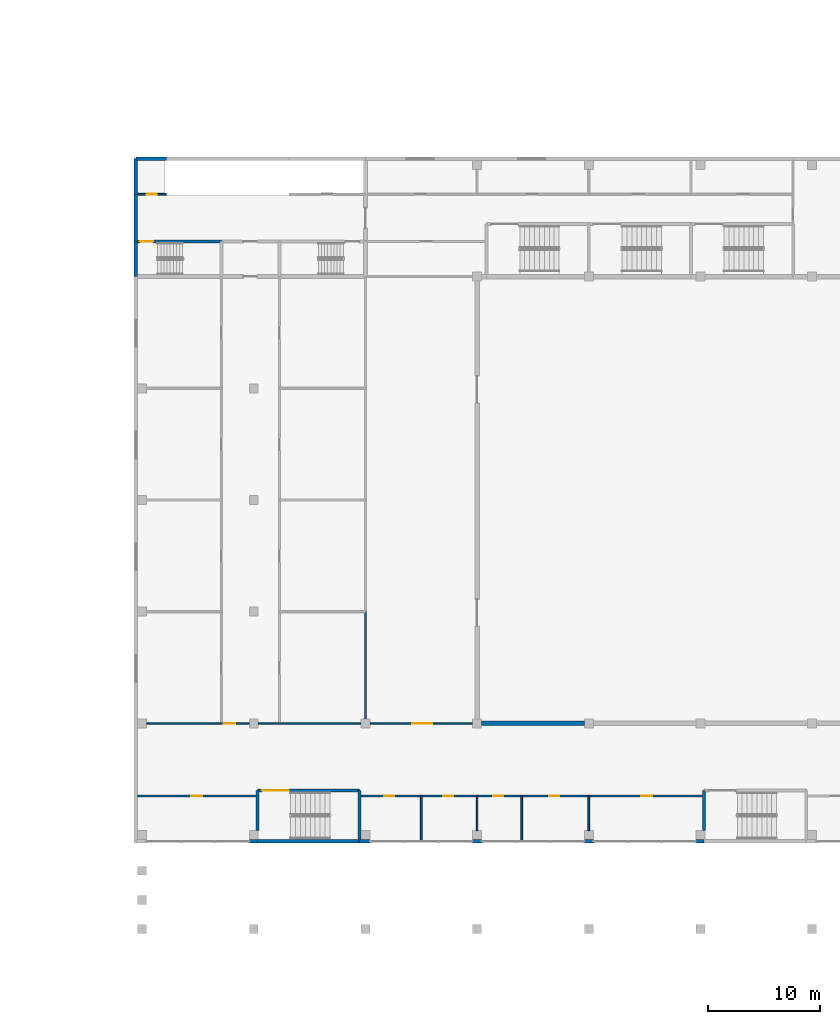
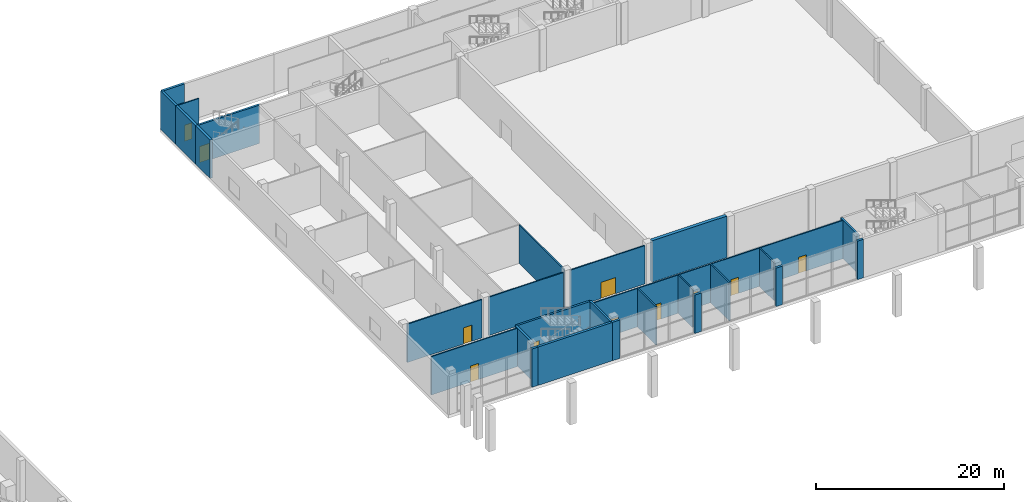
# One storey, part 13 of 35: 27 walls, 11 doors, 11 openings.
"""IFC4 building model written with IfcOpenShell, lengths in metres."""

import ifcopenshell
import ifcopenshell.guid

model = None  # the IFC model being written
_history = None  # IfcOwnerHistory: only IFC2X3 demands one
_inside = {}  # id of a spatial element -> (the spatial element, [elements in it])
_under = {}  # id of a project, library or spatial element -> (it, [spatial elements below it])
_declared = {}  # id of a project -> (the project, [libraries it declares])
_typed = {}  # id of a type object -> (the type object, [elements of that type])
_made_of = {}  # id of a material, layer set ... -> (it, [elements and type objects made of it])


def new_model(schema):
    """Start an empty IFC model of exactly this schema.

    Asked for "IFC4X3", IfcOpenShell would pick the latest addendum, in which some entities
    have other attributes; the version numbers below select the first issue.
    IFC2X3 requires an IfcOwnerHistory on every rooted entity: one is made here for all.
    """
    global model, _history
    if schema == "IFC4X3":
        model = ifcopenshell.file(schema_version=(4, 3, 0, 0))
    else:
        model = ifcopenshell.file(schema=schema)
    _inside.clear()
    _under.clear()
    _declared.clear()
    _typed.clear()
    _made_of.clear()
    _history = None
    if model.schema == "IFC2X3":
        org = make("IfcOrganization", Name="unknown")
        user = make(
            "IfcPersonAndOrganization",
            ThePerson=make("IfcPerson", FamilyName="unknown"),
            TheOrganization=org,
        )
        app = make(
            "IfcApplication",
            ApplicationDeveloper=org,
            Version="unknown",
            ApplicationFullName="unknown",
            ApplicationIdentifier="unknown",
        )
        _history = make(
            "IfcOwnerHistory",
            OwningUser=user,
            OwningApplication=app,
            ChangeAction="ADDED",
            CreationDate=0,
        )
    return model


def make(cls, **values):
    """One entity of the class cls with the attributes given. An attribute that is None is left unset."""
    return model.create_entity(
        cls, **{name: value for name, value in values.items() if value is not None}
    )


def rooted(cls, **values):
    """An entity with a GlobalId (a new one), such as an element, a storey or a relation."""
    return make(cls, GlobalId=ifcopenshell.guid.new(), OwnerHistory=_history, **values)


def si_unit(unit_type, name, prefix=None):
    """IfcSIUnit, for example si_unit("LENGTHUNIT", "METRE", prefix="MILLI")."""
    return make("IfcSIUnit", UnitType=unit_type, Prefix=prefix, Name=name)


def assignment(units):
    """IfcUnitAssignment: the units of a project."""
    return None if units is None else make("IfcUnitAssignment", Units=units)


def point(xyz):
    """IfcCartesianPoint."""
    return None if xyz is None else make("IfcCartesianPoint", Coordinates=xyz)


def direction(xyz):
    """IfcDirection."""
    return None if xyz is None else make("IfcDirection", DirectionRatios=xyz)


def frame(location, z_axis=None, x_axis=None):
    """IfcAxis2Placement3D, a coordinate frame: its origin and axes. An axis left out is left unset."""
    return make(
        "IfcAxis2Placement3D",
        Location=point(location),
        Axis=direction(z_axis),
        RefDirection=direction(x_axis),
    )


def frame_2d(location, x_axis=None):
    """IfcAxis2Placement2D, a coordinate frame in the plane: its origin and x axis."""
    return make(
        "IfcAxis2Placement2D", Location=point(location), RefDirection=direction(x_axis)
    )


def origin():
    """The frame at (0, 0, 0) with its axes left unset."""
    return frame((0.0, 0.0, 0.0))


def place(relative_to, where):
    """IfcLocalPlacement: puts the frame where relative to a parent placement (None: the world)."""
    return make(
        "IfcLocalPlacement", PlacementRelTo=relative_to, RelativePlacement=where
    )


def context(
    kind, dimensions, precision=None, world=None, true_north=None, identifier=None
):
    """IfcGeometricRepresentationContext, for example the 3D "Model" context."""
    return make(
        "IfcGeometricRepresentationContext",
        ContextIdentifier=identifier,
        ContextType=kind,
        CoordinateSpaceDimension=dimensions,
        Precision=precision,
        WorldCoordinateSystem=world,
        TrueNorth=true_north,
    )


def subcontext(parent, identifier, kind, view, scale=None):
    """IfcGeometricRepresentationSubContext, for example "Body" below "Model"."""
    return make(
        "IfcGeometricRepresentationSubContext",
        ContextIdentifier=identifier,
        ContextType=kind,
        ParentContext=parent,
        TargetScale=scale,
        TargetView=view,
    )


def project(units=None, contexts=None):
    """IfcProject with its units and contexts."""
    return rooted(
        "IfcProject",
        Name="project",
        RepresentationContexts=contexts,
        UnitsInContext=assignment(units),
    )


def spatial(cls, under=None, at=None, **own):
    """A site, building, storey or space (cls), placed at a placement, below another one or the project."""
    s = rooted(cls, ObjectPlacement=at, **own)
    if under is not None:
        _under.setdefault(under.id(), (under, []))[1].append(s)
    return s


def profile(cls, at=None, kind="AREA", **sizes):
    """A parametric profile (cls). Its sizes go by their IFC names, for example OverallWidth=200.0."""
    return make(cls, ProfileType=kind, Position=at, **sizes)


def rectangle(**sizes):
    """IfcRectangleProfileDef."""
    return profile("IfcRectangleProfileDef", **sizes)


def extrude(swept, where, along, depth):
    """IfcExtrudedAreaSolid: the profile swept, set in the frame where, extruded along a direction by depth."""
    return make(
        "IfcExtrudedAreaSolid",
        SweptArea=swept,
        Position=where,
        ExtrudedDirection=direction(along),
        Depth=depth,
    )


def shape(context_of_items, identifier, shape_type, items):
    """IfcShapeRepresentation: the items that make up one representation, for example the "Body"."""
    return make(
        "IfcShapeRepresentation",
        ContextOfItems=context_of_items,
        RepresentationIdentifier=identifier,
        RepresentationType=shape_type,
        Items=items,
    )


def material(Name=None, Category=None):
    """IfcMaterial."""
    return make("IfcMaterial", Name=Name, Category=Category)


def layer(
    of_material, thickness, ventilated=None, Name=None, Category=None, Priority=None
):
    """IfcMaterialLayer: one layer of a wall or slab, of a material (None: an air gap)."""
    return make(
        "IfcMaterialLayer",
        Material=of_material,
        LayerThickness=thickness,
        IsVentilated=ventilated,
        Name=Name,
        Category=Category,
        Priority=Priority,
    )


def layer_set(layers, Name=None):
    """IfcMaterialLayerSet."""
    return make("IfcMaterialLayerSet", MaterialLayers=layers, LayerSetName=Name)


def made_of(thing, what):
    """Note that an element or type object is made of a material, layer set ...; save() writes the relation."""
    if what is not None:
        _made_of.setdefault(what.id(), (what, []))[1].append(thing)
    return thing


def type_object(cls, material=None, **own):
    """A type object (cls), such as IfcWallType, which elements share."""
    return made_of(rooted(cls, **own), material)


def element(
    cls,
    number,
    at=None,
    inside=None,
    cuts=None,
    type_object=None,
    material=None,
    context=None,
    identifier="Body",
    shape_type=None,
    held_by="IfcProductDefinitionShape",
    body=None,
    shapes=None,
    **own,
):
    """One element of the class cls, such as IfcWall. Its Tag is "e" and its number.

    at: its placement. inside: the storey or other place that contains it. cuts: it is an
    opening in that element (IfcRelVoidsElement). A single representation is given by context,
    identifier, shape_type and body (its items); several are given by shapes. held_by: the class
    of the entity that holds the representations. save() writes the other relations.
    """
    e = rooted(cls, Tag="e%d" % number, ObjectPlacement=at, **own)
    if body is not None:
        shapes = [shape(context, identifier, shape_type, body)]
    if shapes is not None:
        e.Representation = make(held_by, Representations=shapes)
    if inside is not None:
        _inside.setdefault(inside.id(), (inside, []))[1].append(e)
    if cuts is not None:
        rooted(
            "IfcRelVoidsElement", RelatingBuildingElement=cuts, RelatedOpeningElement=e
        )
    if type_object is not None:
        _typed.setdefault(type_object.id(), (type_object, []))[1].append(e)
    return made_of(e, material)


def fill(opening, filler):
    """IfcRelFillsElement: the door or window that sits in an opening."""
    return rooted(
        "IfcRelFillsElement",
        RelatingOpeningElement=opening,
        RelatedBuildingElement=filler,
    )


def aggregate(whole, parts):
    """IfcRelAggregates: a whole, such as a stair, and the parts it consists of."""
    return rooted("IfcRelAggregates", RelatingObject=whole, RelatedObjects=parts)


def save(model, path):
    """Write the relations noted so far, then the file.

    IfcRelAggregates (storeys below a building ...), IfcRelContainedInSpatialStructure (elements
    in a storey), IfcRelDefinesByType, IfcRelAssociatesMaterial and IfcRelDeclares: one each for
    every whole, place, type object, material and project.
    """
    for whole, parts in _under.values():
        aggregate(whole, parts)
    for where, things in _inside.values():
        rooted(
            "IfcRelContainedInSpatialStructure",
            RelatedElements=things,
            RelatingStructure=where,
        )
    for kind, things in _typed.values():
        rooted("IfcRelDefinesByType", RelatedObjects=things, RelatingType=kind)
    for what, things in _made_of.values():
        rooted("IfcRelAssociatesMaterial", RelatedObjects=things, RelatingMaterial=what)
    for by, libraries in _declared.values():
        rooted("IfcRelDeclares", RelatingContext=by, RelatedDefinitions=libraries)
    model.write(path)


model = new_model("IFC4")

# Units and contexts
model_context = context("Model", 3, precision=1e-05, world=origin(), true_north=direction((0.0, 1.0)))
body_context = subcontext(model_context, "Body", "Model", "MODEL_VIEW")
ifc_project = project(units=[si_unit("LENGTHUNIT", "METRE"), si_unit("AREAUNIT", "SQUARE_METRE"), si_unit("VOLUMEUNIT", "CUBIC_METRE"), si_unit("PLANEANGLEUNIT", "RADIAN"), si_unit("MASSUNIT", "GRAM", prefix="KILO")], contexts=[model_context])

# Site, building, storey
site_placement = place(None, origin())
site = spatial("IfcSite", under=ifc_project, at=site_placement, CompositionType="ELEMENT")
building_placement = place(site_placement, origin())
building = spatial("IfcBuilding", under=site, at=building_placement, Name="Jabali Bay Hotel Tower and Convention Centre", CompositionType="ELEMENT")
storey_placement = place(building_placement, frame((0.0, 0.0, 15.0)))
storey = spatial("IfcBuildingStorey", under=building, at=storey_placement, Name="L02", CompositionType="ELEMENT", Elevation=15.0)

# Walls
ifc_material_1 = material(Name="Concrete C40", Category="concrete")
ifc_layer_1 = layer(ifc_material_1, 0.300048828125)
ifc_layer_set_1 = layer_set([ifc_layer_1], Name="Concrete C40")
wall_type_1 = type_object("IfcWallType", Name="CC External Wall 300", PredefinedType="SOLIDWALL", material=ifc_layer_set_1)
wall_1_placement = place(storey_placement, frame((150.14990234375, 110.550048828125, 0.0), z_axis=(0.0, 0.0, 1.0), x_axis=(1.0, 0.0, 0.0)))
element("IfcWall", 1, at=wall_1_placement, inside=storey, type_object=wall_type_1, Name="CC wall 160", PredefinedType="SOLIDWALL", context=body_context, shape_type="SweptSolid", body=[
    extrude(rectangle(XDim=2.72509765625, YDim=0.300048828125, at=frame_2d((1.362548828125, 0.0))), origin(), (0.0, 0.0, 1.0), 4.989990234375),
])
wall_2_placement = place(storey_placement, frame((150.14990234375, 107.375, 0.0), z_axis=(0.0, 0.0, 1.0), x_axis=(0.0, 1.0, 0.0)))
element("IfcWall", 2, at=wall_2_placement, inside=storey, type_object=wall_type_1, Name="CC wall 161", PredefinedType="SOLIDWALL", context=body_context, shape_type="SweptSolid", body=[
    extrude(rectangle(XDim=3.175048828125, YDim=0.300048828125, at=frame_2d((1.58740234375, 0.0))), origin(), (0.0, 0.0, 1.0), 4.989990234375),
])
wall_3_placement = place(storey_placement, frame((150.14990234375, 100.0, 0.0), z_axis=(0.0, 0.0, 1.0), x_axis=(0.0, 1.0, 0.0)))
element("IfcWall", 3, at=wall_3_placement, inside=storey, type_object=wall_type_1, Name="CC wall 289", PredefinedType="SOLIDWALL", context=body_context, shape_type="SweptSolid", body=[
    extrude(rectangle(XDim=3.14990234375, YDim=0.300048828125, at=frame_2d((1.574951171875, 0.0))), origin(), (0.0, 0.0, 1.0), 4.989990234375),
])
wall_4_placement = place(storey_placement, frame((150.14990234375, 103.14990234375, 0.0), z_axis=(0.0, 0.0, 1.0), x_axis=(0.0, 1.0, 0.0)))
element("IfcWall", 4, at=wall_4_placement, inside=storey, type_object=wall_type_1, Name="CC wall 290", PredefinedType="SOLIDWALL", context=body_context, shape_type="SweptSolid", body=[
    extrude(rectangle(XDim=4.22509765625, YDim=0.300048828125, at=frame_2d((2.112548828125, 0.0))), origin(), (0.0, 0.0, 1.0), 4.989990234375),
])
wall_5_placement = place(storey_placement, frame((160.300048828125, 49.449951171875, 0.0), z_axis=(0.0, 0.0, 1.0), x_axis=(1.0, 0.0, 0.0)))
element("IfcWall", 5, at=wall_5_placement, inside=storey, type_object=wall_type_1, Name="CC wall 292", PredefinedType="SOLIDWALL", context=body_context, shape_type="SweptSolid", body=[
    extrude(rectangle(XDim=0.724853515625, YDim=0.300048828125, at=frame_2d((0.3623046875, 0.0))), origin(), (0.0, 0.0, 1.0), 4.989990234375),
])
wall_6_placement = place(storey_placement, frame((161.02490234375, 49.449951171875, 0.0), z_axis=(0.0, 0.0, 1.0), x_axis=(1.0, 0.0, 0.0)))
element("IfcWall", 6, at=wall_6_placement, inside=storey, type_object=wall_type_1, Name="CC wall 293", PredefinedType="SOLIDWALL", context=body_context, shape_type="SweptSolid", body=[
    extrude(rectangle(XDim=9.150146484375, YDim=0.300048828125, at=frame_2d((4.5751953125, 0.0))), origin(), (0.0, 0.0, 1.0), 4.989990234375),
])
wall_7_placement = place(storey_placement, frame((170.175048828125, 49.449951171875, 0.0), z_axis=(0.0, 0.0, 1.0), x_axis=(1.0, 0.0, 0.0)))
element("IfcWall", 7, at=wall_7_placement, inside=storey, type_object=wall_type_1, Name="CC wall 294", PredefinedType="SOLIDWALL", context=body_context, shape_type="SweptSolid", body=[
    extrude(rectangle(XDim=0.925048828125, YDim=0.300048828125, at=frame_2d((0.46240234375, 0.0))), origin(), (0.0, 0.0, 1.0), 4.989990234375),
])
for number, where, z_axis, x_axis, name in (
    (8, (180.300048828125, 49.449951171875, 0.0), (0.0, 0.0, 1.0), (1.0, 0.0, 0.0), "CC wall 295"),
    (9, (190.300048828125, 49.449951171875, 0.0), (0.0, 0.0, 1.0), (1.0, 0.0, 0.0), "CC wall 296"),
):
    element("IfcWall", number, at=place(storey_placement, frame(where, z_axis=z_axis, x_axis=x_axis)), inside=storey, type_object=wall_type_1, Name=name, PredefinedType="SOLIDWALL", context=body_context, shape_type="SweptSolid", body=[
        extrude(rectangle(XDim=0.800048828125, YDim=0.300048828125, at=frame_2d((0.39990234375, 0.0))), origin(), (0.0, 0.0, 1.0), 4.989990234375),
    ])
wall_8_placement = place(storey_placement, frame((200.300048828125, 49.449951171875, 0.0), z_axis=(0.0, 0.0, 1.0), x_axis=(1.0, 0.0, 0.0)))
element("IfcWall", 10, at=wall_8_placement, inside=storey, type_object=wall_type_1, Name="CC wall 297", PredefinedType="SOLIDWALL", context=body_context, shape_type="SweptSolid", body=[
    extrude(rectangle(XDim=0.724853515625, YDim=0.300048828125, at=frame_2d((0.3623046875, 0.0))), origin(), (0.0, 0.0, 1.0), 4.989990234375),
])
ifc_layer_2 = layer(ifc_material_1, 0.39990234375)
ifc_layer_set_2 = layer_set([ifc_layer_2], Name="Concrete C40")
wall_type_2 = type_object("IfcWallType", Name="CC Hall Wall 400", PredefinedType="SHEAR", material=ifc_layer_set_2)
wall_9_placement = place(storey_placement, frame((181.10009765625, 60.0, 0.0), z_axis=(0.0, 0.0, 1.0), x_axis=(1.0, 0.0, 0.0)))
element("IfcWall", 11, at=wall_9_placement, inside=storey, type_object=wall_type_2, Name="CC ballroom wall", PredefinedType="SHEAR", context=body_context, shape_type="SweptSolid", body=[
    extrude(rectangle(XDim=9.199951171875, YDim=0.39990234375, at=frame_2d((4.60009765625, 0.0))), origin(), (0.0, 0.0, 1.0), 5.39990234375),
])

# Wall, opening, door
ifc_material_2 = material(Name="Blockwork M10", Category="masonry")
ifc_layer_3 = layer(ifc_material_2, 0.14990234375)
ifc_layer_set_3 = layer_set([ifc_layer_3], Name="Blockwork M10")
wall_type_3 = type_object("IfcWallType", Name="CC Partition 150", PredefinedType="PARTITIONING", material=ifc_layer_set_3)
wall_10_placement = place(storey_placement, frame((150.300048828125, 107.375, 0.0), z_axis=(0.0, 0.0, 1.0), x_axis=(1.0, 0.0, 0.0)))
wall_10 = element("IfcWall", 12, at=wall_10_placement, inside=storey, type_object=wall_type_3, Name="CC wall 159", PredefinedType="PARTITIONING", context=body_context, shape_type="SweptSolid", body=[
    extrude(rectangle(XDim=2.574951171875, YDim=0.14990234375, at=frame_2d((1.28759765625, 0.0))), origin(), (0.0, 0.0, 1.0), 4.989990234375),
])
opening_1_placement = place(wall_10_placement, frame((0.800048828125, 0.0, 0.0)))
opening_1 = element("IfcOpeningElement", 13, at=opening_1_placement, cuts=wall_10, Name="Opening CC-D153", PredefinedType="OPENING", context=body_context, shape_type="SweptSolid", body=[
    extrude(rectangle(XDim=0.89990234375, YDim=2.10009765625, at=frame_2d((0.449951171875, 1.050048828125))), frame((0.0, 0.08544921875, 0.0), z_axis=(0.0, -1.0, 0.0), x_axis=(1.0, 0.0, 0.0)), (0.0, 0.0, 1.0), 0.1708984375),
])
ifc_material_3 = material(Name="Timber and steel door set", Category="steel")
door_type_1 = type_object("IfcDoorType", Name="CC Riser Door 900x2100", OperationType="NOTDEFINED", PredefinedType="DOOR", material=ifc_material_3)
door_1_placement = place(opening_1_placement, origin())
door_1 = element("IfcDoor", 14, at=door_1_placement, inside=storey, type_object=door_type_1, Name="CC door CC-D153", OperationType="SINGLE_SWING_LEFT", OverallHeight=2.10009765625, OverallWidth=0.89990234375, PredefinedType="DOOR", context=body_context, shape_type="SweptSolid", body=[
    extrude(rectangle(XDim=0.89990234375, YDim=2.10009765625, at=frame_2d((0.449951171875, 1.050048828125))), frame((0.0, 0.02490234375, 0.0), z_axis=(0.0, -1.0, 0.0), x_axis=(1.0, 0.0, 0.0)), (0.0, 0.0, 1.0), 0.050048828125),
])
fill(opening_1, door_1)

wall_11_placement = place(storey_placement, frame((150.300048828125, 53.5, 0.0), z_axis=(0.0, 0.0, 1.0), x_axis=(1.0, 0.0, 0.0)))
wall_11 = element("IfcWall", 15, at=wall_11_placement, inside=storey, type_object=wall_type_3, Name="CC wall 412", PredefinedType="PARTITIONING", context=body_context, shape_type="SweptSolid", body=[
    extrude(rectangle(XDim=10.724853515625, YDim=0.14990234375, at=frame_2d((5.3623046875, 0.0))), origin(), (0.0, 0.0, 1.0), 4.989990234375),
])
opening_2_placement = place(wall_11_placement, frame((4.800048828125, 0.0, 0.0)))
opening_2 = element("IfcOpeningElement", 16, at=opening_2_placement, cuts=wall_11, Name="Opening CC-D034", PredefinedType="OPENING", context=body_context, shape_type="SweptSolid", body=[
    extrude(rectangle(XDim=1.0, YDim=2.10009765625, at=frame_2d((0.5, 1.050048828125))), frame((0.0, 0.08544921875, 0.0), z_axis=(0.0, -1.0, 0.0), x_axis=(1.0, 0.0, 0.0)), (0.0, 0.0, 1.0), 0.1708984375),
])
door_type_2 = type_object("IfcDoorType", Name="CC Single Door 1000x2100", OperationType="NOTDEFINED", PredefinedType="DOOR", material=ifc_material_3)
door_2_placement = place(opening_2_placement, origin())
door_2 = element("IfcDoor", 17, at=door_2_placement, inside=storey, type_object=door_type_2, Name="CC door CC-D034", OperationType="SINGLE_SWING_RIGHT", OverallHeight=2.10009765625, OverallWidth=1.0, PredefinedType="DOOR", context=body_context, shape_type="SweptSolid", body=[
    extrude(rectangle(XDim=1.0, YDim=2.10009765625, at=frame_2d((0.5, 1.050048828125))), frame((0.0, 0.02490234375, 0.0), z_axis=(0.0, -1.0, 0.0), x_axis=(1.0, 0.0, 0.0)), (0.0, 0.0, 1.0), 0.050048828125),
])
fill(opening_2, door_2)

# Wall, openings, doors
wall_12_placement = place(storey_placement, frame((170.175048828125, 53.5, 0.0), z_axis=(0.0, 0.0, 1.0), x_axis=(1.0, 0.0, 0.0)))
wall_12 = element("IfcWall", 18, at=wall_12_placement, inside=storey, type_object=wall_type_3, Name="CC wall 413", PredefinedType="PARTITIONING", context=body_context, shape_type="SweptSolid", body=[
    extrude(rectangle(XDim=30.849853515625, YDim=0.14990234375, at=frame_2d((15.4248046875, 0.0))), origin(), (0.0, 0.0, 1.0), 4.989990234375),
])
opening_3_placement = place(wall_12_placement, frame((11.97509765625, 0.0, 0.0)))
opening_3 = element("IfcOpeningElement", 19, at=opening_3_placement, cuts=wall_12, Name="Opening CC-D028", PredefinedType="OPENING", context=body_context, shape_type="SweptSolid", body=[
    extrude(rectangle(XDim=0.89990234375, YDim=2.10009765625, at=frame_2d((0.449951171875, 1.050048828125))), frame((0.0, 0.08544921875, 0.0), z_axis=(0.0, -1.0, 0.0), x_axis=(1.0, 0.0, 0.0)), (0.0, 0.0, 1.0), 0.1708984375),
])
opening_4_placement = place(wall_12_placement, frame((16.97509765625, 0.0, 0.0)))
opening_4 = element("IfcOpeningElement", 20, at=opening_4_placement, cuts=wall_12, Name="Opening CC-D029", PredefinedType="OPENING", context=body_context, shape_type="SweptSolid", body=[
    extrude(rectangle(XDim=0.89990234375, YDim=2.10009765625, at=frame_2d((0.449951171875, 1.050048828125))), frame((0.0, 0.08544921875, 0.0), z_axis=(0.0, -1.0, 0.0), x_axis=(1.0, 0.0, 0.0)), (0.0, 0.0, 1.0), 0.1708984375),
])
opening_5_placement = place(wall_12_placement, frame((25.22509765625, 0.0, 0.0)))
opening_5 = element("IfcOpeningElement", 21, at=opening_5_placement, cuts=wall_12, Name="Opening CC-D031", PredefinedType="OPENING", context=body_context, shape_type="SweptSolid", body=[
    extrude(rectangle(XDim=1.0, YDim=2.10009765625, at=frame_2d((0.5, 1.050048828125))), frame((0.0, 0.08544921875, 0.0), z_axis=(0.0, -1.0, 0.0), x_axis=(1.0, 0.0, 0.0)), (0.0, 0.0, 1.0), 0.1708984375),
])
opening_6_placement = place(wall_12_placement, frame((7.47509765625, 0.0, 0.0)))
opening_6 = element("IfcOpeningElement", 22, at=opening_6_placement, cuts=wall_12, Name="Opening CC-D033", PredefinedType="OPENING", context=body_context, shape_type="SweptSolid", body=[
    extrude(rectangle(XDim=0.89990234375, YDim=2.10009765625, at=frame_2d((0.449951171875, 1.050048828125))), frame((0.0, 0.08544921875, 0.0), z_axis=(0.0, -1.0, 0.0), x_axis=(1.0, 0.0, 0.0)), (0.0, 0.0, 1.0), 0.1708984375),
])
opening_7_placement = place(wall_12_placement, frame((2.199951171875, 0.0, 0.0)))
opening_7 = element("IfcOpeningElement", 23, at=opening_7_placement, cuts=wall_12, Name="Opening CC-D035", PredefinedType="OPENING", context=body_context, shape_type="SweptSolid", body=[
    extrude(rectangle(XDim=0.89990234375, YDim=2.10009765625, at=frame_2d((0.449951171875, 1.050048828125))), frame((0.0, 0.08544921875, 0.0), z_axis=(0.0, -1.0, 0.0), x_axis=(1.0, 0.0, 0.0)), (0.0, 0.0, 1.0), 0.1708984375),
])
door_3_placement = place(opening_4_placement, origin())
door_3 = element("IfcDoor", 24, at=door_3_placement, inside=storey, type_object=door_type_1, Name="CC door CC-D029", OperationType="SINGLE_SWING_LEFT", OverallHeight=2.10009765625, OverallWidth=0.89990234375, PredefinedType="DOOR", context=body_context, shape_type="SweptSolid", body=[
    extrude(rectangle(XDim=0.89990234375, YDim=2.10009765625, at=frame_2d((0.449951171875, 1.050048828125))), frame((0.0, 0.02490234375, 0.0), z_axis=(0.0, -1.0, 0.0), x_axis=(1.0, 0.0, 0.0)), (0.0, 0.0, 1.0), 0.050048828125),
])
fill(opening_4, door_3)
door_4_placement = place(opening_5_placement, origin())
door_4 = element("IfcDoor", 25, at=door_4_placement, inside=storey, type_object=door_type_2, Name="CC door CC-D031", OperationType="SINGLE_SWING_LEFT", OverallHeight=2.10009765625, OverallWidth=1.0, PredefinedType="DOOR", context=body_context, shape_type="SweptSolid", body=[
    extrude(rectangle(XDim=1.0, YDim=2.10009765625, at=frame_2d((0.5, 1.050048828125))), frame((0.0, 0.02490234375, 0.0), z_axis=(0.0, -1.0, 0.0), x_axis=(1.0, 0.0, 0.0)), (0.0, 0.0, 1.0), 0.050048828125),
])
fill(opening_5, door_4)
door_type_3 = type_object("IfcDoorType", Name="CC Single Door 900x2100", OperationType="NOTDEFINED", PredefinedType="DOOR", material=ifc_material_3)
door_5_placement = place(opening_3_placement, origin())
door_5 = element("IfcDoor", 26, at=door_5_placement, inside=storey, type_object=door_type_3, Name="CC door CC-D028", OperationType="SINGLE_SWING_RIGHT", OverallHeight=2.10009765625, OverallWidth=0.89990234375, PredefinedType="DOOR", context=body_context, shape_type="SweptSolid", body=[
    extrude(rectangle(XDim=0.89990234375, YDim=2.10009765625, at=frame_2d((0.449951171875, 1.050048828125))), frame((0.0, 0.02490234375, 0.0), z_axis=(0.0, -1.0, 0.0), x_axis=(1.0, 0.0, 0.0)), (0.0, 0.0, 1.0), 0.050048828125),
])
fill(opening_3, door_5)
door_6_placement = place(opening_6_placement, origin())
door_6 = element("IfcDoor", 27, at=door_6_placement, inside=storey, type_object=door_type_3, Name="CC door CC-D033", OperationType="SINGLE_SWING_LEFT", OverallHeight=2.10009765625, OverallWidth=0.89990234375, PredefinedType="DOOR", context=body_context, shape_type="SweptSolid", body=[
    extrude(rectangle(XDim=0.89990234375, YDim=2.10009765625, at=frame_2d((0.449951171875, 1.050048828125))), frame((0.0, 0.02490234375, 0.0), z_axis=(0.0, -1.0, 0.0), x_axis=(1.0, 0.0, 0.0)), (0.0, 0.0, 1.0), 0.050048828125),
])
fill(opening_6, door_6)
door_7_placement = place(opening_7_placement, origin())
door_7 = element("IfcDoor", 28, at=door_7_placement, inside=storey, type_object=door_type_3, Name="CC door CC-D035", OperationType="SINGLE_SWING_LEFT", OverallHeight=2.10009765625, OverallWidth=0.89990234375, PredefinedType="DOOR", context=body_context, shape_type="SweptSolid", body=[
    extrude(rectangle(XDim=0.89990234375, YDim=2.10009765625, at=frame_2d((0.449951171875, 1.050048828125))), frame((0.0, 0.02490234375, 0.0), z_axis=(0.0, -1.0, 0.0), x_axis=(1.0, 0.0, 0.0)), (0.0, 0.0, 1.0), 0.050048828125),
])
fill(opening_7, door_7)

# Wall, opening, door
wall_13_placement = place(storey_placement, frame((160.300048828125, 60.0, 0.0), z_axis=(0.0, 0.0, 1.0), x_axis=(-1.0, 0.0, 0.0)))
wall_13 = element("IfcWall", 29, at=wall_13_placement, inside=storey, type_object=wall_type_3, Name="CC wall 415", PredefinedType="PARTITIONING", context=body_context, shape_type="SweptSolid", body=[
    extrude(rectangle(XDim=9.199951171875, YDim=0.14990234375, at=frame_2d((4.60009765625, 0.0))), origin(), (0.0, 0.0, 1.0), 4.989990234375),
])
opening_8_placement = place(wall_13_placement, frame((1.27490234375, 0.0, 0.0)))
opening_8 = element("IfcOpeningElement", 30, at=opening_8_placement, cuts=wall_13, Name="Opening CC-D036", PredefinedType="OPENING", context=body_context, shape_type="SweptSolid", body=[
    extrude(rectangle(XDim=1.0, YDim=2.10009765625, at=frame_2d((0.5, 1.050048828125))), frame((0.0, 0.08544921875, 0.0), z_axis=(0.0, -1.0, 0.0), x_axis=(1.0, 0.0, 0.0)), (0.0, 0.0, 1.0), 0.1708984375),
])
door_8_placement = place(opening_8_placement, origin())
door_8 = element("IfcDoor", 31, at=door_8_placement, inside=storey, type_object=door_type_2, Name="CC door CC-D036", OperationType="SINGLE_SWING_RIGHT", OverallHeight=2.10009765625, OverallWidth=1.0, PredefinedType="DOOR", context=body_context, shape_type="SweptSolid", body=[
    extrude(rectangle(XDim=1.0, YDim=2.10009765625, at=frame_2d((0.5, 1.050048828125))), frame((0.0, 0.02490234375, 0.0), z_axis=(0.0, -1.0, 0.0), x_axis=(1.0, 0.0, 0.0)), (0.0, 0.0, 1.0), 0.050048828125),
])
fill(opening_8, door_8)

# Wall
wall_14_placement = place(storey_placement, frame((161.10009765625, 60.0, 0.0), z_axis=(0.0, 0.0, 1.0), x_axis=(1.0, 0.0, 0.0)))
element("IfcWall", 32, at=wall_14_placement, inside=storey, type_object=wall_type_3, Name="CC wall 416", PredefinedType="PARTITIONING", context=body_context, shape_type="SweptSolid", body=[
    extrude(rectangle(XDim=9.199951171875, YDim=0.14990234375, at=frame_2d((4.60009765625, 0.0))), origin(), (0.0, 0.0, 1.0), 4.989990234375),
])

# Wall, opening, door
wall_15_placement = place(storey_placement, frame((180.300048828125, 60.0, 0.0), z_axis=(0.0, 0.0, 1.0), x_axis=(-1.0, 0.0, 0.0)))
wall_15 = element("IfcWall", 33, at=wall_15_placement, inside=storey, type_object=wall_type_3, Name="CC wall 417", PredefinedType="PARTITIONING", context=body_context, shape_type="SweptSolid", body=[
    extrude(rectangle(XDim=9.199951171875, YDim=0.14990234375, at=frame_2d((4.60009765625, 0.0))), origin(), (0.0, 0.0, 1.0), 4.989990234375),
])
opening_9_placement = place(wall_15_placement, frame((3.60009765625, 0.0, 0.0)))
opening_9 = element("IfcOpeningElement", 34, at=opening_9_placement, cuts=wall_15, Name="Opening CC-D116", PredefinedType="OPENING", context=body_context, shape_type="SweptSolid", body=[
    extrude(rectangle(XDim=1.800048828125, YDim=2.10009765625, at=frame_2d((0.89990234375, 1.050048828125))), frame((0.0, 0.08544921875, 0.0), z_axis=(0.0, -1.0, 0.0), x_axis=(1.0, 0.0, 0.0)), (0.0, 0.0, 1.0), 0.1708984375),
])
door_type_4 = type_object("IfcDoorType", Name="CC Double Door 1800x2100", OperationType="NOTDEFINED", PredefinedType="DOOR", material=ifc_material_3)
door_9_placement = place(opening_9_placement, origin())
door_9 = element("IfcDoor", 35, at=door_9_placement, inside=storey, type_object=door_type_4, Name="CC door CC-D116", OperationType="DOUBLE_DOOR_SINGLE_SWING", OverallHeight=2.10009765625, OverallWidth=1.800048828125, PredefinedType="DOOR", context=body_context, shape_type="SweptSolid", body=[
    extrude(rectangle(XDim=1.800048828125, YDim=2.10009765625, at=frame_2d((0.89990234375, 1.050048828125))), frame((0.0, 0.02490234375, 0.0), z_axis=(0.0, -1.0, 0.0), x_axis=(1.0, 0.0, 0.0)), (0.0, 0.0, 1.0), 0.050048828125),
])
fill(opening_9, door_9)

# Walls
wall_16_placement = place(storey_placement, frame((175.699951171875, 49.5, 0.0), z_axis=(0.0, 0.0, 1.0), x_axis=(0.0, 1.0, 0.0)))
element("IfcWall", 36, at=wall_16_placement, inside=storey, type_object=wall_type_3, Name="CC wall 426", PredefinedType="PARTITIONING", context=body_context, shape_type="SweptSolid", body=[
    extrude(rectangle(XDim=4.0, YDim=0.14990234375, at=frame_2d((2.0, 0.0))), origin(), (0.0, 0.0, 1.0), 4.989990234375),
])
wall_17_placement = place(storey_placement, frame((180.699951171875, 50.39990234375, 0.0), z_axis=(0.0, 0.0, 1.0), x_axis=(0.0, 1.0, 0.0)))
element("IfcWall", 37, at=wall_17_placement, inside=storey, type_object=wall_type_3, Name="CC wall 427", PredefinedType="PARTITIONING", context=body_context, shape_type="SweptSolid", body=[
    extrude(rectangle(XDim=3.10009765625, YDim=0.14990234375, at=frame_2d((1.550048828125, 0.0))), origin(), (0.0, 0.0, 1.0), 4.989990234375),
])
wall_18_placement = place(storey_placement, frame((184.699951171875, 49.5, 0.0), z_axis=(0.0, 0.0, 1.0), x_axis=(0.0, 1.0, 0.0)))
element("IfcWall", 38, at=wall_18_placement, inside=storey, type_object=wall_type_3, Name="CC wall 428", PredefinedType="PARTITIONING", context=body_context, shape_type="SweptSolid", body=[
    extrude(rectangle(XDim=4.0, YDim=0.14990234375, at=frame_2d((2.0, 0.0))), origin(), (0.0, 0.0, 1.0), 4.989990234375),
])
wall_19_placement = place(storey_placement, frame((190.699951171875, 50.39990234375, 0.0), z_axis=(0.0, 0.0, 1.0), x_axis=(0.0, 1.0, 0.0)))
element("IfcWall", 39, at=wall_19_placement, inside=storey, type_object=wall_type_3, Name="CC wall 429", PredefinedType="PARTITIONING", context=body_context, shape_type="SweptSolid", body=[
    extrude(rectangle(XDim=3.10009765625, YDim=0.14990234375, at=frame_2d((1.550048828125, 0.0))), origin(), (0.0, 0.0, 1.0), 4.989990234375),
])
wall_20_placement = place(storey_placement, frame((170.699951171875, 60.39990234375, 0.0), z_axis=(0.0, 0.0, 1.0), x_axis=(0.0, 1.0, 0.0)))
element("IfcWall", 40, at=wall_20_placement, inside=storey, type_object=wall_type_3, Name="CC wall 435", PredefinedType="PARTITIONING", context=body_context, shape_type="SweptSolid", body=[
    extrude(rectangle(XDim=9.60009765625, YDim=0.14990234375, at=frame_2d((4.800048828125, 0.0))), origin(), (0.0, 0.0, 1.0), 4.989990234375),
])

# Wall, opening, door
ifc_layer_4 = layer(ifc_material_1, 0.25)
ifc_layer_set_4 = layer_set([ifc_layer_4], Name="Concrete C40")
wall_type_4 = type_object("IfcWallType", Name="CC Shaft Wall 250", PredefinedType="SHEAR", material=ifc_layer_set_4)
wall_21_placement = place(storey_placement, frame((150.300048828125, 103.14990234375, 0.0), z_axis=(0.0, 0.0, 1.0), x_axis=(1.0, 0.0, 0.0)))
wall_21 = element("IfcWall", 41, at=wall_21_placement, inside=storey, type_object=wall_type_4, Name="CC west core wall", PredefinedType="SHEAR", context=body_context, shape_type="SweptSolid", body=[
    extrude(rectangle(XDim=7.52490234375, YDim=0.25, at=frame_2d((3.762451171875, 0.0))), origin(), (0.0, 0.0, 1.0), 4.989990234375),
])
opening_10_placement = place(wall_21_placement, frame((0.199951171875, 0.0, 0.0)))
opening_10 = element("IfcOpeningElement", 42, at=opening_10_placement, cuts=wall_21, Name="Opening CC-D146", PredefinedType="OPENING", context=body_context, shape_type="SweptSolid", body=[
    extrude(rectangle(XDim=1.199951171875, YDim=2.10009765625, at=frame_2d((0.60009765625, 1.050048828125))), frame((0.0, 0.135498046875, 0.0), z_axis=(0.0, -1.0, 0.0), x_axis=(1.0, 0.0, 0.0)), (0.0, 0.0, 1.0), 0.27099609375),
])
door_type_5 = type_object("IfcDoorType", Name="CC Stair Door 1200x2100", OperationType="NOTDEFINED", PredefinedType="DOOR", material=ifc_material_3)
door_10_placement = place(opening_10_placement, origin())
door_10 = element("IfcDoor", 43, at=door_10_placement, inside=storey, type_object=door_type_5, Name="CC door CC-D146", OperationType="SINGLE_SWING_RIGHT", OverallHeight=2.10009765625, OverallWidth=1.199951171875, PredefinedType="DOOR", context=body_context, shape_type="SweptSolid", body=[
    extrude(rectangle(XDim=1.199951171875, YDim=2.10009765625, at=frame_2d((0.60009765625, 1.050048828125))), frame((0.0, 0.02490234375, 0.0), z_axis=(0.0, -1.0, 0.0), x_axis=(1.0, 0.0, 0.0)), (0.0, 0.0, 1.0), 0.050048828125),
])
fill(opening_10, door_10)

wall_22_placement = place(storey_placement, frame((161.02490234375, 53.97509765625, 0.0), z_axis=(0.0, 0.0, 1.0), x_axis=(1.0, 0.0, 0.0)))
wall_22 = element("IfcWall", 44, at=wall_22_placement, inside=storey, type_object=wall_type_4, Name="CC wall 418", PredefinedType="SHEAR", context=body_context, shape_type="SweptSolid", body=[
    extrude(rectangle(XDim=9.150146484375, YDim=0.25, at=frame_2d((4.5751953125, 0.0))), origin(), (0.0, 0.0, 1.0), 4.989990234375),
])
opening_11_placement = place(wall_22_placement, frame((0.425048828125, 0.0, 0.0)))
opening_11 = element("IfcOpeningElement", 45, at=opening_11_placement, cuts=wall_22, Name="Opening CC-D215", PredefinedType="OPENING", context=body_context, shape_type="SweptSolid", body=[
    extrude(rectangle(XDim=2.39990234375, YDim=2.10009765625, at=frame_2d((1.199951171875, 1.050048828125))), frame((0.0, 0.135498046875, 0.0), z_axis=(0.0, -1.0, 0.0), x_axis=(1.0, 0.0, 0.0)), (0.0, 0.0, 1.0), 0.27099609375),
])
door_type_6 = type_object("IfcDoorType", Name="CC Stair Door Pair 2400x2100", OperationType="NOTDEFINED", PredefinedType="DOOR", material=ifc_material_3)
door_11_placement = place(opening_11_placement, origin())
door_11 = element("IfcDoor", 46, at=door_11_placement, inside=storey, type_object=door_type_6, Name="CC door CC-D215", OperationType="DOUBLE_DOOR_SINGLE_SWING", OverallHeight=2.10009765625, OverallWidth=2.39990234375, PredefinedType="DOOR", context=body_context, shape_type="SweptSolid", body=[
    extrude(rectangle(XDim=2.39990234375, YDim=2.10009765625, at=frame_2d((1.199951171875, 1.050048828125))), frame((0.0, 0.02490234375, 0.0), z_axis=(0.0, -1.0, 0.0), x_axis=(1.0, 0.0, 0.0)), (0.0, 0.0, 1.0), 0.050048828125),
])
fill(opening_11, door_11)

# Walls
wall_23_placement = place(storey_placement, frame((161.02490234375, 50.39990234375, 0.0), z_axis=(0.0, 0.0, 1.0), x_axis=(0.0, 1.0, 0.0)))
element("IfcWall", 47, at=wall_23_placement, inside=storey, type_object=wall_type_4, Name="CC wall 419", PredefinedType="SHEAR", context=body_context, shape_type="SweptSolid", body=[
    extrude(rectangle(XDim=3.5751953125, YDim=0.25, at=frame_2d((1.78759765625, 0.0))), origin(), (0.0, 0.0, 1.0), 4.989990234375),
])
wall_24_placement = place(storey_placement, frame((170.175048828125, 49.5, 0.0), z_axis=(0.0, 0.0, 1.0), x_axis=(0.0, 1.0, 0.0)))
element("IfcWall", 48, at=wall_24_placement, inside=storey, type_object=wall_type_4, Name="CC wall 420", PredefinedType="SHEAR", context=body_context, shape_type="SweptSolid", body=[
    extrude(rectangle(XDim=4.47509765625, YDim=0.25, at=frame_2d((2.237548828125, 0.0))), origin(), (0.0, 0.0, 1.0), 4.989990234375),
])
wall_25_placement = place(storey_placement, frame((201.02490234375, 50.39990234375, 0.0), z_axis=(0.0, 0.0, 1.0), x_axis=(0.0, 1.0, 0.0)))
element("IfcWall", 49, at=wall_25_placement, inside=storey, type_object=wall_type_4, Name="CC wall 422", PredefinedType="SHEAR", context=body_context, shape_type="SweptSolid", body=[
    extrude(rectangle(XDim=3.5751953125, YDim=0.25, at=frame_2d((1.78759765625, 0.0))), origin(), (0.0, 0.0, 1.0), 4.989990234375),
])

save(model, "model.ifc")
